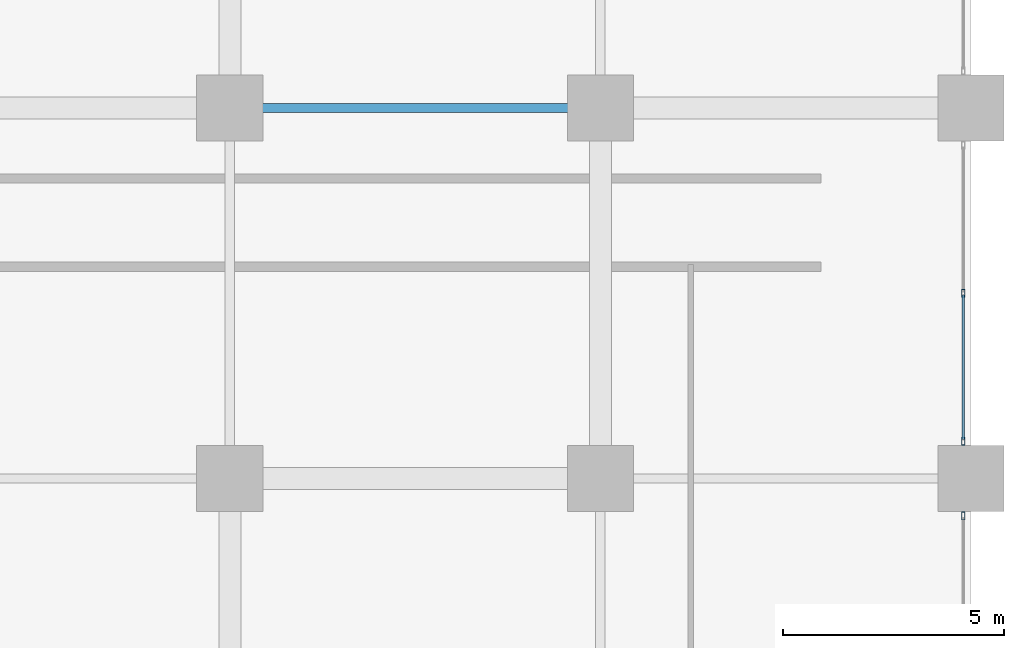
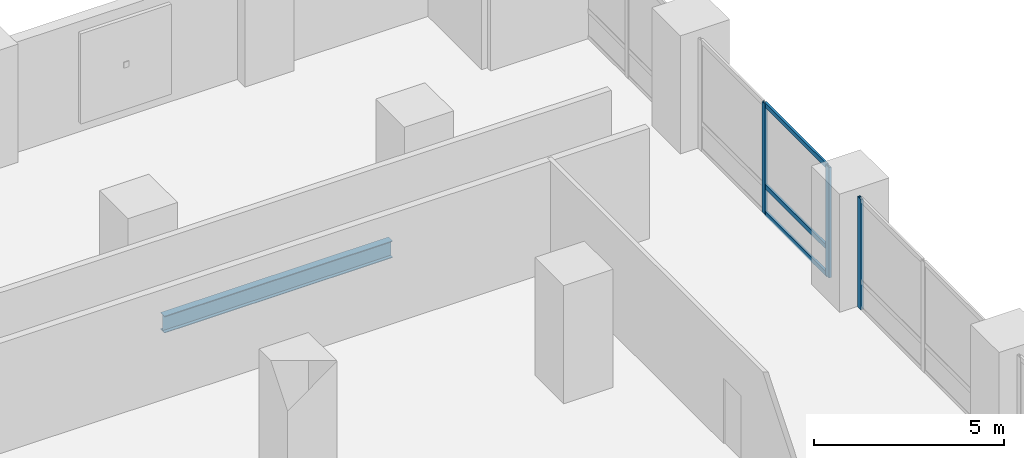
# One storey, part 6 of 27: 6 members, 1 beam, 2 elements without a shape of their own.
"""IFC4 building model written with IfcOpenShell, lengths in metres."""

from ifc_helpers import new_model, si_unit, direction, frame, origin, origin_2d, place, context, subcontext, project, spatial, hollow_rectangle, i_section, extrude, material, layer, layer_set, material_profile, profile_set, type_object, element, aggregate, save


model = new_model("IFC4")

# Units and contexts
model_context = context("Model", 3, precision=1e-05, world=origin(), true_north=direction((0.0, 1.0)))
body_context = subcontext(model_context, "Body", "Model", "MODEL_VIEW")
ifc_project = project(units=[si_unit("LENGTHUNIT", "METRE"), si_unit("AREAUNIT", "SQUARE_METRE"), si_unit("VOLUMEUNIT", "CUBIC_METRE"), si_unit("PLANEANGLEUNIT", "RADIAN"), si_unit("MASSUNIT", "GRAM", prefix="KILO")], contexts=[model_context])

# Site, building, storey
site_placement = place(None, origin())
site = spatial("IfcSite", under=ifc_project, at=site_placement, CompositionType="ELEMENT")
building_placement = place(site_placement, origin())
building = spatial("IfcBuilding", under=site, at=building_placement, Name="Koriwani Terraces Tower", CompositionType="ELEMENT")
storey_placement = place(building_placement, frame((0.0, 0.0, 54.800048828125)))
storey = spatial("IfcBuildingStorey", under=building, at=storey_placement, Name="L12", CompositionType="ELEMENT", Elevation=54.800048828125)

# Curtain wall, members
ifc_material_1 = material(Name="Anodised Bronze Aluminium", Category="aluminium")
ifc_layer = layer(ifc_material_1, 0.179931640625, Name="Anodised Bronze Aluminium")
ifc_layer_set = layer_set([ifc_layer], Name="Anodised Bronze Aluminium")
curtain_wall_type = type_object("IfcCurtainWallType", Name="CW_HOTEL_ZONE1", PredefinedType="NOTDEFINED", material=ifc_layer_set)
curtain_wall_1_placement = place(storey_placement, origin())
curtain_wall_1 = element("IfcCurtainWall", 1, at=curtain_wall_1_placement, inside=storey, type_object=curtain_wall_type, Name="L12 Unitised Curtain Wall (E_TIP) Bay 2", PredefinedType="NOTDEFINED")
ifc_material_profile_1 = material_profile(ifc_material_1, hollow_rectangle(XDim=0.074951171875, YDim=0.179931640625, WallThickness=0.006103515625, at=origin_2d()), Name="Anodised Bronze Aluminium", Category="LoadBearing")
ifc_profile_set_1 = profile_set([ifc_material_profile_1], Name="Anodised Bronze Aluminium")
member_type_1 = type_object("IfcMemberType", Name="CW_MULLION_180X75", PredefinedType="MULLION", material=ifc_profile_set_1)
member_1_placement = place(storey_placement, frame((92.22509765625, 21.0, 0.0), z_axis=(0.0, 0.0, 1.0), x_axis=(1.0, 0.0, 0.0)))
member_1 = element("IfcMember", 2, at=member_1_placement, type_object=member_type_1, Name="CW-Z1 mullion 2", PredefinedType="MULLION", context=body_context, shape_type="SweptSolid", body=[
    extrude(hollow_rectangle(XDim=0.074951171875, YDim=0.179931640625, WallThickness=0.006103515625, at=origin_2d()), origin(), (0.0, 0.0, 1.0), 3.550048828125),
])
member_2_placement = place(storey_placement, frame((92.22509765625, 17.6474609375, 0.0), z_axis=(0.0, 0.0, 1.0), x_axis=(1.0, 0.0, 0.0)))
member_2 = element("IfcMember", 3, at=member_2_placement, type_object=member_type_1, Name="CW-Z1 mullion 3", PredefinedType="MULLION", context=body_context, shape_type="SweptSolid", body=[
    extrude(hollow_rectangle(XDim=0.074951171875, YDim=0.179931640625, WallThickness=0.006103515625, at=origin_2d()), origin(), (0.0, 0.0, 1.0), 3.550048828125),
])

# Curtain wall, member
curtain_wall_2_placement = place(storey_placement, origin())
curtain_wall_2 = element("IfcCurtainWall", 4, at=curtain_wall_2_placement, inside=storey, type_object=curtain_wall_type, Name="L12 Unitised Curtain Wall (E_TIP) Bay 3", PredefinedType="NOTDEFINED")
member_3_placement = place(storey_placement, frame((92.22509765625, 15.952392578125, 0.0), z_axis=(0.0, 0.0, 1.0), x_axis=(1.0, 0.0, 0.0)))
member_3 = element("IfcMember", 5, at=member_3_placement, type_object=member_type_1, Name="CW-Z1 mullion 1", PredefinedType="MULLION", context=body_context, shape_type="SweptSolid", body=[
    extrude(hollow_rectangle(XDim=0.074951171875, YDim=0.179931640625, WallThickness=0.006103515625, at=origin_2d()), origin(), (0.0, 0.0, 1.0), 3.550048828125),
])
aggregate(curtain_wall_2, [member_3])

# Member
ifc_material_profile_2 = material_profile(ifc_material_1, hollow_rectangle(XDim=0.06494140625, YDim=0.14990234375, WallThickness=0.0048828125, at=origin_2d()), Name="Anodised Bronze Aluminium", Category="LoadBearing")
ifc_profile_set_2 = profile_set([ifc_material_profile_2], Name="Anodised Bronze Aluminium")
member_type_2 = type_object("IfcMemberType", Name="CW_TRANSOM_150X65", PredefinedType="USERDEFINED", material=ifc_profile_set_2)
member_4_placement = place(storey_placement, frame((92.22509765625, 20.96240234375, 0.032470703125), z_axis=(0.0, -1.0, 0.0), x_axis=(1.0, 0.0, 0.0)))
member_4 = element("IfcMember", 6, at=member_4_placement, type_object=member_type_2, Name="CW-Z1 transom 2.1", ObjectType="TRANSOM", PredefinedType="USERDEFINED", context=body_context, shape_type="SweptSolid", body=[
    extrude(hollow_rectangle(XDim=0.06494140625, YDim=0.14990234375, WallThickness=0.0048828125, at=origin_2d()), origin(), (0.0, 0.0, 1.0), 3.27734375),
])

member_5_placement = place(storey_placement, frame((92.22509765625, 20.96240234375, 0.89990234375), z_axis=(0.0, -1.0, 0.0), x_axis=(1.0, 0.0, 0.0)))
member_5 = element("IfcMember", 7, at=member_5_placement, type_object=member_type_2, Name="CW-Z1 transom 2.2", ObjectType="TRANSOM", PredefinedType="USERDEFINED", context=body_context, shape_type="SweptSolid", body=[
    extrude(hollow_rectangle(XDim=0.06494140625, YDim=0.14990234375, WallThickness=0.0048828125, at=origin_2d()), origin(), (0.0, 0.0, 1.0), 3.27734375),
])

member_6_placement = place(storey_placement, frame((92.22509765625, 20.96240234375, 3.517333984375), z_axis=(0.0, -1.0, 0.0), x_axis=(1.0, 0.0, 0.0)))
member_6 = element("IfcMember", 8, at=member_6_placement, type_object=member_type_2, Name="CW-Z1 transom 2.3", ObjectType="TRANSOM", PredefinedType="USERDEFINED", context=body_context, shape_type="SweptSolid", body=[
    extrude(hollow_rectangle(XDim=0.06494140625, YDim=0.14990234375, WallThickness=0.0048828125, at=origin_2d()), origin(), (0.0, 0.0, 1.0), 3.27734375),
])

aggregate(curtain_wall_1, [member_1, member_2, member_4, member_5, member_6])

# Beam
ifc_material_2 = material(Name="Steel ASTM A572 Grade 50", Category="steel")
ifc_material_profile_3 = material_profile(ifc_material_2, i_section(OverallWidth=0.2119140625, OverallDepth=0.54296875, WebThickness=0.0126953125, FlangeThickness=0.021240234375, at=origin_2d()), Name="Steel ASTM A572 Grade 50", Category="LoadBearing")
ifc_profile_set_3 = profile_set([ifc_material_profile_3], Name="Steel ASTM A572 Grade 50")
beam_type = type_object("IfcBeamType", Name="STEEL_BEAM_W530X150", PredefinedType="BEAM", material=ifc_profile_set_3)
beam_placement = place(storey_placement, frame((76.330078125, 25.199951171875, -0.521484375), z_axis=(1.0, 0.0, 0.0), x_axis=(0.0, 1.0, 0.0)))
element("IfcBeam", 9, at=beam_placement, inside=storey, type_object=beam_type, Name="L12 Grid Beam D (75.6-84.0m)", PredefinedType="BEAM", context=body_context, shape_type="SweptSolid", body=[
    extrude(i_section(OverallWidth=0.2119140625, OverallDepth=0.54296875, WebThickness=0.0126953125, FlangeThickness=0.021240234375, at=origin_2d()), origin(), (0.0, 0.0, 1.0), 6.93994140625),
])

save(model, "model.ifc")
